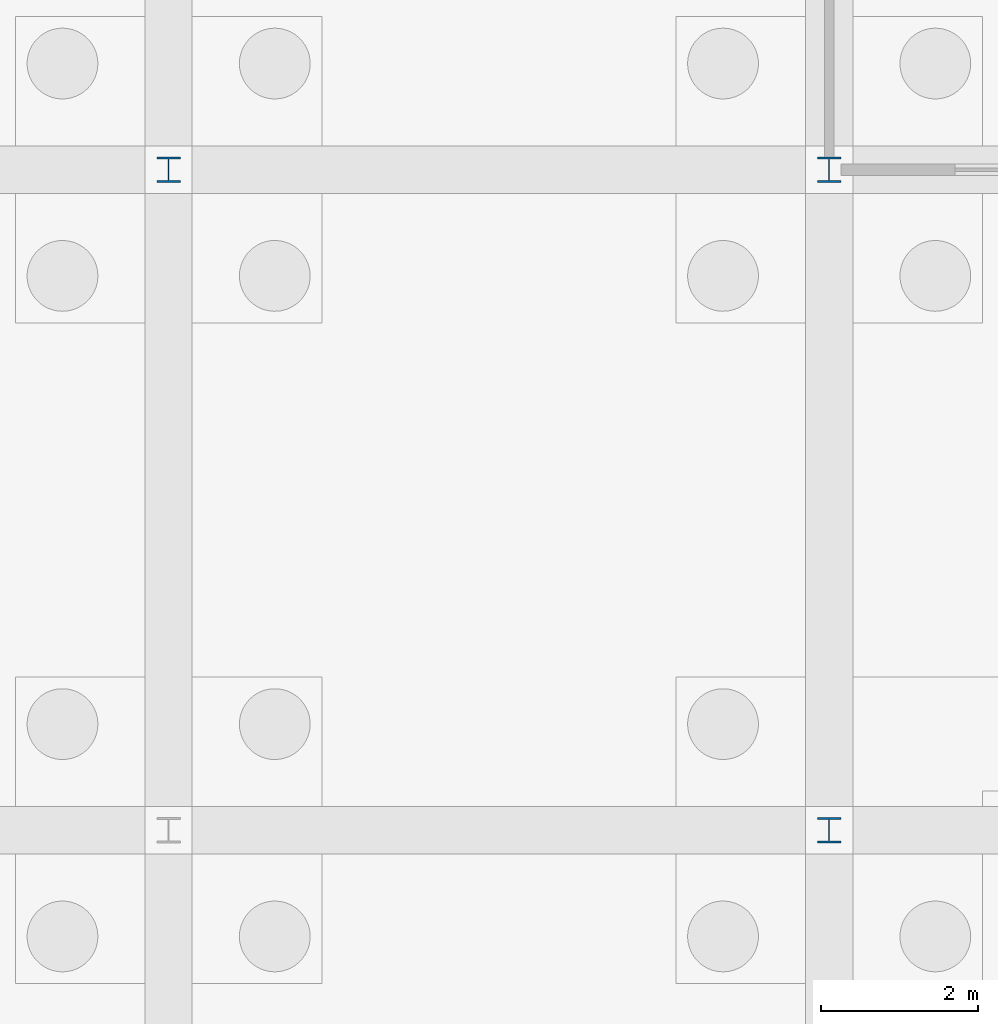
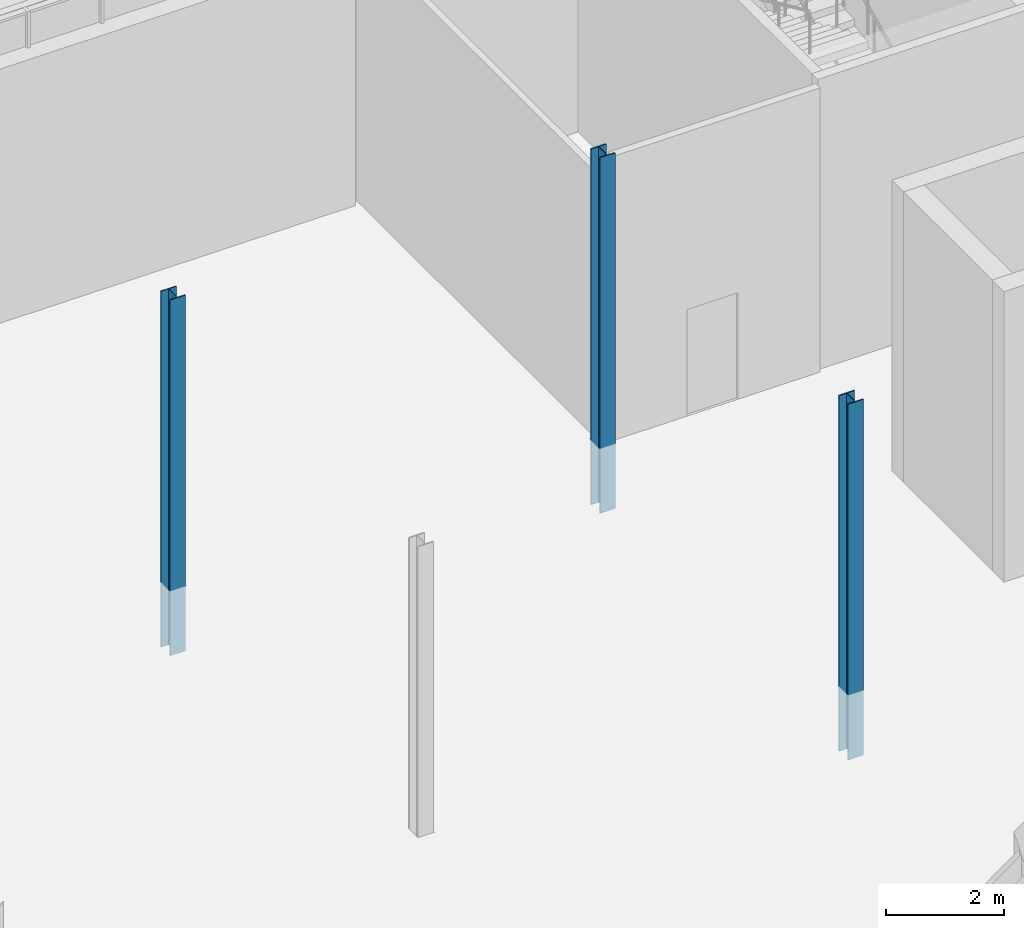
# One storey, part 11 of 222: 3 columns.
"""IFC4 building model written with IfcOpenShell, lengths in metres."""

from ifc_helpers import new_model, si_unit, direction, frame, origin, origin_2d, place, context, subcontext, project, spatial, i_section, extrude, material, material_profile, profile_set, type_object, element, save


model = new_model("IFC4")

# Units and contexts
model_context = context("Model", 3, precision=1e-05, world=origin(), true_north=direction((0.0, 1.0)))
body_context = subcontext(model_context, "Body", "Model", "MODEL_VIEW")
ifc_project = project(units=[si_unit("LENGTHUNIT", "METRE"), si_unit("AREAUNIT", "SQUARE_METRE"), si_unit("VOLUMEUNIT", "CUBIC_METRE"), si_unit("PLANEANGLEUNIT", "RADIAN"), si_unit("MASSUNIT", "GRAM", prefix="KILO")], contexts=[model_context])

# Site, building, storey
site_placement = place(None, origin())
site = spatial("IfcSite", under=ifc_project, at=site_placement, CompositionType="ELEMENT")
building_placement = place(site_placement, origin())
building = spatial("IfcBuilding", under=site, at=building_placement, Name="Sava Quay Ferry Terminal", CompositionType="ELEMENT")
storey_placement = place(building_placement, origin())
storey = spatial("IfcBuildingStorey", under=building, at=storey_placement, Name="L00", CompositionType="ELEMENT", Elevation=0.0)

# Columns
ifc_material = material(Name="Steel S355", Category="steel")
ifc_material_profile = material_profile(ifc_material, i_section(OverallWidth=0.300048828125, OverallDepth=0.320068359375, WebThickness=0.011474609375, FlangeThickness=0.0205078125, at=origin_2d()), Name="HE 320 B")
ifc_profile_set = profile_set([ifc_material_profile], Name="Steel S355")
column_type = type_object("IfcColumnType", Name="Column HE 320 B", PredefinedType="COLUMN", material=ifc_profile_set)
for number, where, z_axis, x_axis, name in (
    (1, (25.199951171875, 42.0, -1.35009765625), (0.0, 0.0, 1.0), (1.0, 0.0, 0.0), "Column L00 25.2/42"),
    (2, (33.60009765625, 33.60009765625, -1.35009765625), (0.0, 0.0, 1.0), (1.0, 0.0, 0.0), "Column L00 33.6/33.6"),
    (3, (33.60009765625, 42.0, -1.35009765625), (0.0, 0.0, 1.0), (1.0, 0.0, 0.0), "Column L00 33.6/42"),
):
    element("IfcColumn", number, at=place(storey_placement, frame(where, z_axis=z_axis, x_axis=x_axis)), inside=storey, type_object=column_type, Name=name, PredefinedType="COLUMN", context=body_context, shape_type="SweptSolid", body=[
        extrude(i_section(OverallWidth=0.300048828125, OverallDepth=0.320068359375, WebThickness=0.011474609375, FlangeThickness=0.0205078125, at=origin_2d()), origin(), (0.0, 0.0, 1.0), 7.35009765625),
    ])

save(model, "model.ifc")
